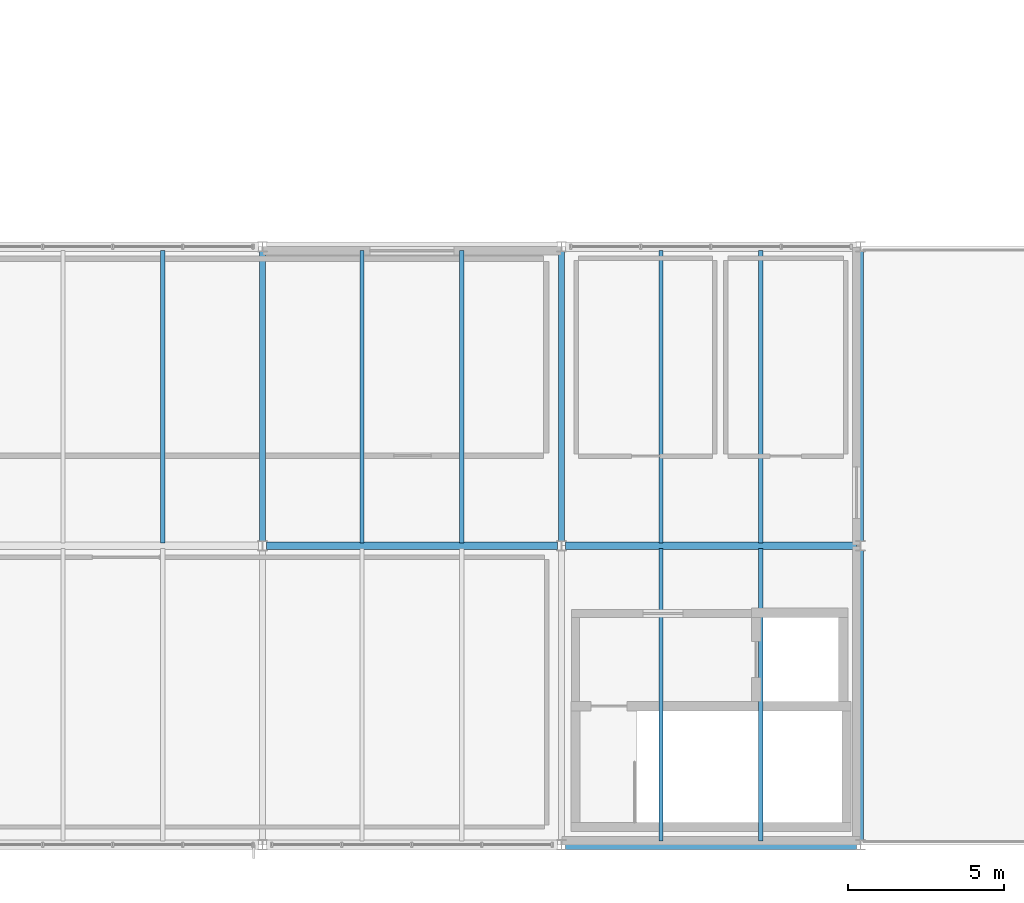
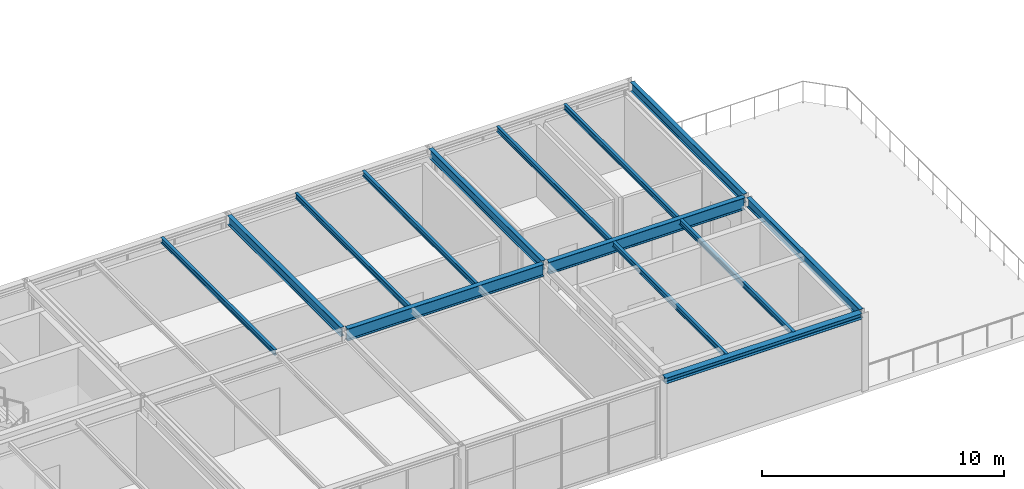
# One storey, part 35 of 50: 14 beams.
"""IFC4 building model written with IfcOpenShell, lengths in metres."""

from ifc_helpers import new_model, si_unit, direction, frame, origin, origin_2d, place, context, subcontext, project, spatial, i_section, extrude, material, material_profile, profile_set, type_object, element, save


model = new_model("IFC4")

# Units and contexts
model_context = context("Model", 3, precision=1e-05, world=origin(), true_north=direction((0.0, 1.0)))
body_context = subcontext(model_context, "Body", "Model", "MODEL_VIEW")
ifc_project = project(units=[si_unit("LENGTHUNIT", "METRE"), si_unit("AREAUNIT", "SQUARE_METRE"), si_unit("VOLUMEUNIT", "CUBIC_METRE"), si_unit("PLANEANGLEUNIT", "RADIAN"), si_unit("MASSUNIT", "GRAM", prefix="KILO")], contexts=[model_context])

# Site, building, storey
site_placement = place(None, origin())
site = spatial("IfcSite", under=ifc_project, at=site_placement, CompositionType="ELEMENT")
building_placement = place(site_placement, origin())
building = spatial("IfcBuilding", under=site, at=building_placement, Name="Coralgate Yard Interchange", CompositionType="ELEMENT")
storey_placement = place(building_placement, frame((0.0, 0.0, 14.699951171875)))
storey = spatial("IfcBuildingStorey", under=building, at=storey_placement, Name="L03", CompositionType="ELEMENT", Elevation=14.699951171875)

# Beams
ifc_material = material(Name="Structural steel S355J2", Category="steel")
ifc_material_profile_1 = material_profile(ifc_material, i_section(OverallWidth=0.1904296875, OverallDepth=0.45703125, WebThickness=0.009033203125, FlangeThickness=0.014404296875, FilletRadius=0.01025390625, at=origin_2d()), Name="UB 457x191x74")
ifc_profile_set_1 = profile_set([ifc_material_profile_1], Name="Structural steel S355J2")
beam_type_1 = type_object("IfcBeamType", Name="BM-SB-2", PredefinedType="BEAM", material=ifc_profile_set_1)
for number, where, z_axis, x_axis, name in (
    (1, (67.199951171875, 9.7333984375, 3.721435546875), (0.0, 1.0, 0.0), (-1.0, 0.0, 0.0), "L03 primary grid girder X7 Y1-2"),
    (2, (76.800048828125, 9.7333984375, 3.721435546875), (0.0, 1.0, 0.0), (-1.0, 0.0, 0.0), "L03 primary grid girder X8 Y1-2"),
    (3, (86.39990234375, 0.133544921875, 3.721435546875), (0.0, 1.0, 0.0), (-1.0, 0.0, 0.0), "L03 primary grid girder X9 Y0-1"),
    (4, (86.39990234375, 9.7333984375, 3.721435546875), (0.0, 1.0, 0.0), (-1.0, 0.0, 0.0), "L03 primary grid girder X9 Y1-2"),
):
    element("IfcBeam", number, at=place(storey_placement, frame(where, z_axis=z_axis, x_axis=x_axis)), inside=storey, type_object=beam_type_1, Name=name, PredefinedType="BEAM", context=body_context, shape_type="SweptSolid", body=[
        extrude(i_section(OverallWidth=0.1904296875, OverallDepth=0.45703125, WebThickness=0.009033203125, FlangeThickness=0.014404296875, FilletRadius=0.01025390625, at=origin_2d()), origin(), (0.0, 0.0, 1.0), 9.3330078125),
    ])
ifc_material_profile_2 = material_profile(ifc_material, i_section(OverallWidth=0.228271484375, OverallDepth=0.607666015625, WebThickness=0.010986328125, FlangeThickness=0.017333984375, FilletRadius=0.0126953125, at=origin_2d()), Name="UB 610x229x113")
ifc_profile_set_2 = profile_set([ifc_material_profile_2], Name="Structural steel S355J2")
beam_type_2 = type_object("IfcBeamType", Name="BM-SG-5", PredefinedType="BEAM", material=ifc_profile_set_2)
beam_1_placement = place(storey_placement, frame((67.32568359375, 9.60009765625, 3.646240234375), z_axis=(1.0, 0.0, 0.0), x_axis=(0.0, 1.0, 0.0)))
element("IfcBeam", 5, at=beam_1_placement, inside=storey, type_object=beam_type_2, Name="L03 primary grid beam Y1 X7-8", PredefinedType="BEAM", context=body_context, shape_type="SweptSolid", body=[
    extrude(i_section(OverallWidth=0.228271484375, OverallDepth=0.607666015625, WebThickness=0.010986328125, FlangeThickness=0.017333984375, FilletRadius=0.0126953125, at=origin_2d()), origin(), (0.0, 0.0, 1.0), 9.3486328125),
])
beam_2_placement = place(storey_placement, frame((76.925537109375, 9.60009765625, 3.646240234375), z_axis=(1.0, 0.0, 0.0), x_axis=(0.0, 1.0, 0.0)))
element("IfcBeam", 6, at=beam_2_placement, inside=storey, type_object=beam_type_2, Name="L03 primary grid beam Y1 X8-9", PredefinedType="BEAM", context=body_context, shape_type="SweptSolid", body=[
    extrude(i_section(OverallWidth=0.228271484375, OverallDepth=0.607666015625, WebThickness=0.010986328125, FlangeThickness=0.017333984375, FilletRadius=0.0126953125, at=origin_2d()), origin(), (0.0, 0.0, 1.0), 9.348876953125),
])
ifc_material_profile_3 = material_profile(ifc_material, i_section(OverallWidth=0.135009765625, OverallDepth=0.27001953125, WebThickness=0.006591796875, FlangeThickness=0.01025390625, FilletRadius=0.014892578125, at=origin_2d()), Name="IPE 270")
ifc_profile_set_3 = profile_set([ifc_material_profile_3], Name="Structural steel S355J2")
beam_type_3 = type_object("IfcBeamType", Name="BM-SJ-3", PredefinedType="JOIST", material=ifc_profile_set_3)
for number, where, z_axis, x_axis, name in (
    (7, (64.0, 9.68408203125, 3.81494140625), (0.0, 1.0, 0.0), (-1.0, 0.0, 0.0), "L03 composite floor joist 6-1-2"),
    (8, (70.39990234375, 9.68408203125, 3.81494140625), (0.0, 1.0, 0.0), (-1.0, 0.0, 0.0), "L03 composite floor joist 7-1-1"),
    (9, (73.60009765625, 9.68408203125, 3.81494140625), (0.0, 1.0, 0.0), (-1.0, 0.0, 0.0), "L03 composite floor joist 7-1-2"),
):
    element("IfcBeam", number, at=place(storey_placement, frame(where, z_axis=z_axis, x_axis=x_axis)), inside=storey, type_object=beam_type_3, Name=name, PredefinedType="JOIST", context=body_context, shape_type="SweptSolid", body=[
        extrude(i_section(OverallWidth=0.135009765625, OverallDepth=0.27001953125, WebThickness=0.006591796875, FlangeThickness=0.01025390625, FilletRadius=0.014892578125, at=origin_2d()), origin(), (0.0, 0.0, 1.0), 9.39599609375),
    ])
for number, where, z_axis, x_axis, name in (
    (10, (80.0, 0.1201171875, 3.81494140625), (0.0, 1.0, 0.0), (-1.0, 0.0, 0.0), "L03 composite floor joist 8-0-1"),
    (11, (83.199951171875, 0.1201171875, 3.81494140625), (0.0, 1.0, 0.0), (-1.0, 0.0, 0.0), "L03 composite floor joist 8-0-2"),
):
    element("IfcBeam", number, at=place(storey_placement, frame(where, z_axis=z_axis, x_axis=x_axis)), inside=storey, type_object=beam_type_3, Name=name, PredefinedType="JOIST", context=body_context, shape_type="SweptSolid", body=[
        extrude(i_section(OverallWidth=0.135009765625, OverallDepth=0.27001953125, WebThickness=0.006591796875, FlangeThickness=0.01025390625, FilletRadius=0.014892578125, at=origin_2d()), origin(), (0.0, 0.0, 1.0), 9.395751953125),
    ])
for number, where, z_axis, x_axis, name in (
    (12, (80.0, 9.68408203125, 3.81494140625), (0.0, 1.0, 0.0), (-1.0, 0.0, 0.0), "L03 composite floor joist 8-1-1"),
    (13, (83.199951171875, 9.68408203125, 3.81494140625), (0.0, 1.0, 0.0), (-1.0, 0.0, 0.0), "L03 composite floor joist 8-1-2"),
):
    element("IfcBeam", number, at=place(storey_placement, frame(where, z_axis=z_axis, x_axis=x_axis)), inside=storey, type_object=beam_type_3, Name=name, PredefinedType="JOIST", context=body_context, shape_type="SweptSolid", body=[
        extrude(i_section(OverallWidth=0.135009765625, OverallDepth=0.27001953125, WebThickness=0.006591796875, FlangeThickness=0.01025390625, FilletRadius=0.014892578125, at=origin_2d()), origin(), (0.0, 0.0, 1.0), 9.39599609375),
    ])
ifc_material_profile_4 = material_profile(ifc_material, i_section(OverallWidth=0.300048828125, OverallDepth=0.2900390625, WebThickness=0.008544921875, FlangeThickness=0.013916015625, FilletRadius=0.027099609375, at=origin_2d()), Name="HEA 300")
ifc_profile_set_4 = profile_set([ifc_material_profile_4], Name="Structural steel S355J2")
beam_type_4 = type_object("IfcBeamType", Name="BM-SP-2", PredefinedType="SPANDREL", material=ifc_profile_set_4)
beam_3_placement = place(storey_placement, frame((76.925537109375, 0.0, 3.804931640625), z_axis=(1.0, 0.0, 0.0), x_axis=(0.0, 1.0, 0.0)))
element("IfcBeam", 14, at=beam_3_placement, inside=storey, type_object=beam_type_4, Name="L03 primary grid beam Y0 X8-9", PredefinedType="SPANDREL", context=body_context, shape_type="SweptSolid", body=[
    extrude(i_section(OverallWidth=0.300048828125, OverallDepth=0.2900390625, WebThickness=0.008544921875, FlangeThickness=0.013916015625, FilletRadius=0.027099609375, at=origin_2d()), origin(), (0.0, 0.0, 1.0), 9.348876953125),
])

save(model, "model.ifc")
